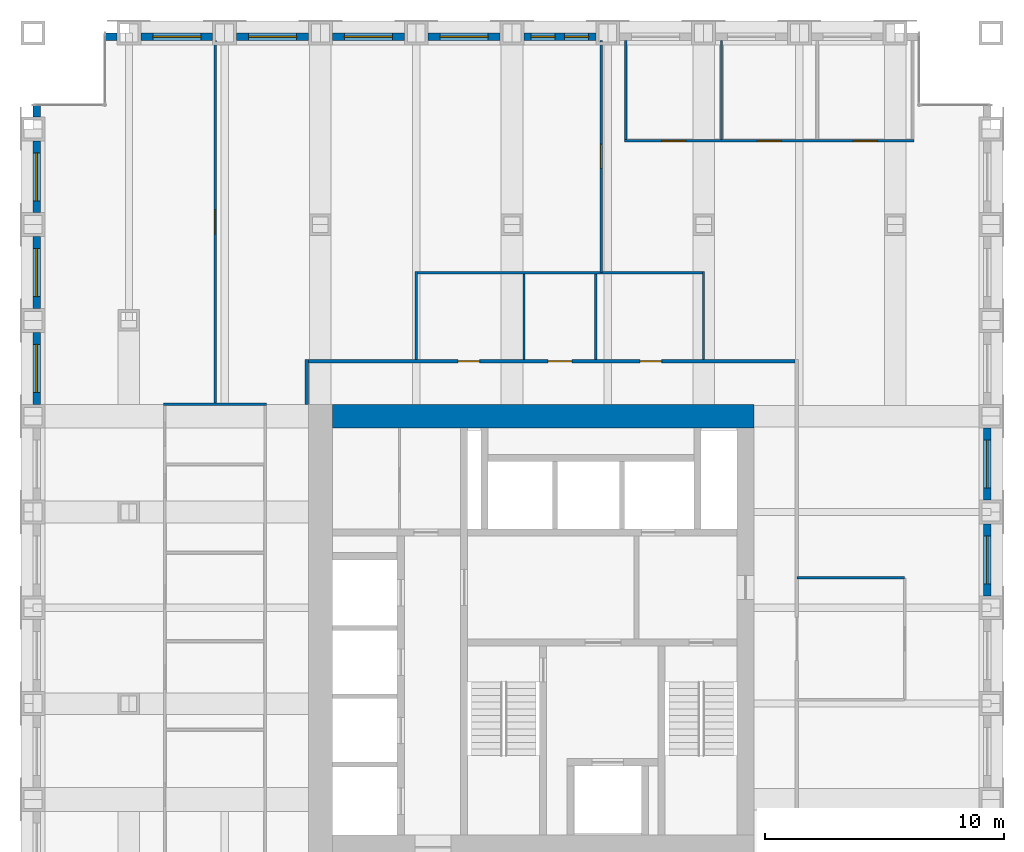
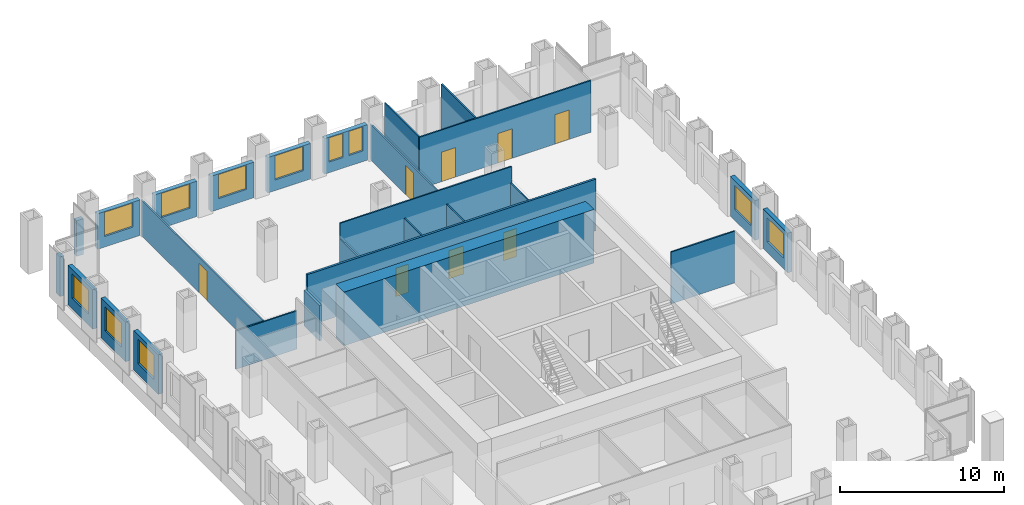
# One storey, part 10 of 12: 27 walls, 11 windows, 8 doors, 19 openings.
"""IFC4 building model written with IfcOpenShell, lengths in metres."""

from ifc_helpers import new_model, si_unit, direction, frame, frame_2d, origin, place, context, subcontext, project, spatial, rectangle, extrude, material, layer, layer_set, type_object, element, fill, save


model = new_model("IFC4")

# Units and contexts
model_context = context("Model", 3, precision=1e-05, world=origin(), true_north=direction((0.0, 1.0)))
body_context = subcontext(model_context, "Body", "Model", "MODEL_VIEW")
ifc_project = project(units=[si_unit("LENGTHUNIT", "METRE"), si_unit("AREAUNIT", "SQUARE_METRE"), si_unit("VOLUMEUNIT", "CUBIC_METRE"), si_unit("PLANEANGLEUNIT", "RADIAN"), si_unit("MASSUNIT", "GRAM", prefix="KILO")], contexts=[model_context])

# Site, building, storey
site_placement = place(None, origin())
site = spatial("IfcSite", under=ifc_project, at=site_placement, CompositionType="ELEMENT")
building_placement = place(site_placement, origin())
building = spatial("IfcBuilding", under=site, at=building_placement, Name="Rimbunsela Tower", CompositionType="ELEMENT")
storey_placement = place(building_placement, frame((0.0, 0.0, 167.800048828125)))
storey = spatial("IfcBuildingStorey", under=building, at=storey_placement, Name="L40", CompositionType="ELEMENT", Elevation=167.800048828125)

# Walls
ifc_material_1 = material(Name="Concrete fc' 80 MPa", Category="concrete")
ifc_layer_1 = layer(ifc_material_1, 1.0)
ifc_layer_set_1 = layer_set([ifc_layer_1], Name="Core wall 1000")
wall_type_1 = type_object("IfcWallType", Name="Core wall 1000", PredefinedType="SHEAR", material=ifc_layer_set_1)
wall_1_placement = place(storey_placement, frame((18.5, 36.0, -0.150146484375), z_axis=(0.0, 0.0, 1.0), x_axis=(1.0, 0.0, 0.0)))
element("IfcWall", 1, at=wall_1_placement, inside=storey, type_object=wall_type_1, Name="Core wall north", PredefinedType="SHEAR", context=body_context, shape_type="SweptSolid", body=[
    extrude(rectangle(XDim=17.60009765625, YDim=1.0, at=frame_2d((8.800048828125, 0.0))), origin(), (0.0, 0.0, 1.0), 4.0),
])
ifc_material_2 = material(Name="Gypsum board on steel studs", Category="steel")
ifc_layer_2 = layer(ifc_material_2, 0.10009765625)
ifc_layer_set_2 = layer_set([ifc_layer_2], Name="Office partition 100")
wall_type_2 = type_object("IfcWallType", Name="Office partition 100", PredefinedType="PARTITIONING", material=ifc_layer_set_2)
wall_2_placement = place(storey_placement, frame((11.449951171875, 36.5, 0.0), z_axis=(0.0, 0.0, 1.0), x_axis=(1.0, 0.0, 0.0)))
element("IfcWall", 2, at=wall_2_placement, inside=storey, type_object=wall_type_2, Name="Office partition", PredefinedType="PARTITIONING", context=body_context, shape_type="SweptSolid", body=[
    extrude(rectangle(XDim=4.300048828125, YDim=0.10009765625, at=frame_2d((2.14990234375, 0.0))), origin(), (0.0, 0.0, 1.0), 2.849853515625),
])

# Wall, openings, doors
wall_3_placement = place(storey_placement, frame((30.699951171875, 47.5, 0.0), z_axis=(0.0, 0.0, 1.0), x_axis=(1.0, 0.0, 0.0)))
wall_3 = element("IfcWall", 3, at=wall_3_placement, inside=storey, type_object=wall_type_2, Name="Office partition", PredefinedType="PARTITIONING", context=body_context, shape_type="SweptSolid", body=[
    extrude(rectangle(XDim=12.10009765625, YDim=0.10009765625, at=frame_2d((6.050048828125, 0.0))), origin(), (0.0, 0.0, 1.0), 3.849853515625),
])
opening_1_placement = place(wall_3_placement, frame((1.550048828125, 0.0, 0.0)))
opening_1 = element("IfcOpeningElement", 4, at=opening_1_placement, cuts=wall_3, Name="Opening D16", PredefinedType="OPENING", context=body_context, shape_type="SweptSolid", body=[
    extrude(rectangle(XDim=1.0, YDim=2.199951171875, at=frame_2d((0.5, 1.10009765625))), frame((0.0, 0.06005859375, 0.0), z_axis=(0.0, -1.0, 0.0), x_axis=(1.0, 0.0, 0.0)), (0.0, 0.0, 1.0), 0.1201171875),
])
opening_2_placement = place(wall_3_placement, frame((5.550048828125, 0.0, 0.0)))
opening_2 = element("IfcOpeningElement", 5, at=opening_2_placement, cuts=wall_3, Name="Opening D16", PredefinedType="OPENING", context=body_context, shape_type="SweptSolid", body=[
    extrude(rectangle(XDim=1.0, YDim=2.199951171875, at=frame_2d((0.5, 1.10009765625))), frame((0.0, 0.06005859375, 0.0), z_axis=(0.0, -1.0, 0.0), x_axis=(1.0, 0.0, 0.0)), (0.0, 0.0, 1.0), 0.1201171875),
])
opening_3_placement = place(wall_3_placement, frame((9.550048828125, 0.0, 0.0)))
opening_3 = element("IfcOpeningElement", 6, at=opening_3_placement, cuts=wall_3, Name="Opening D16", PredefinedType="OPENING", context=body_context, shape_type="SweptSolid", body=[
    extrude(rectangle(XDim=1.0, YDim=2.199951171875, at=frame_2d((0.5, 1.10009765625))), frame((0.0, 0.06005859375, 0.0), z_axis=(0.0, -1.0, 0.0), x_axis=(1.0, 0.0, 0.0)), (0.0, 0.0, 1.0), 0.1201171875),
])
ifc_material_3 = material(Name="Timber door", Category="wood")
door_type_1 = type_object("IfcDoorType", Name="Office door 1000", OperationType="SINGLE_SWING_LEFT", PredefinedType="DOOR", material=ifc_material_3)
door_1_placement = place(opening_1_placement, origin())
door_1 = element("IfcDoor", 7, at=door_1_placement, inside=storey, type_object=door_type_1, Name="Office door", OperationType="SINGLE_SWING_LEFT", OverallHeight=2.199951171875, OverallWidth=1.0, PredefinedType="DOOR", context=body_context, shape_type="SweptSolid", body=[
    extrude(rectangle(XDim=1.0, YDim=2.199951171875, at=frame_2d((0.5, 1.10009765625))), frame((0.0, 0.02490234375, 0.0), z_axis=(0.0, -1.0, 0.0), x_axis=(1.0, 0.0, 0.0)), (0.0, 0.0, 1.0), 0.050048828125),
])
fill(opening_1, door_1)
door_2_placement = place(opening_2_placement, origin())
door_2 = element("IfcDoor", 8, at=door_2_placement, inside=storey, type_object=door_type_1, Name="Office door", OperationType="SINGLE_SWING_LEFT", OverallHeight=2.199951171875, OverallWidth=1.0, PredefinedType="DOOR", context=body_context, shape_type="SweptSolid", body=[
    extrude(rectangle(XDim=1.0, YDim=2.199951171875, at=frame_2d((0.5, 1.10009765625))), frame((0.0, 0.02490234375, 0.0), z_axis=(0.0, -1.0, 0.0), x_axis=(1.0, 0.0, 0.0)), (0.0, 0.0, 1.0), 0.050048828125),
])
fill(opening_2, door_2)
door_3_placement = place(opening_3_placement, origin())
door_3 = element("IfcDoor", 9, at=door_3_placement, inside=storey, type_object=door_type_1, Name="Office door", OperationType="SINGLE_SWING_LEFT", OverallHeight=2.199951171875, OverallWidth=1.0, PredefinedType="DOOR", context=body_context, shape_type="SweptSolid", body=[
    extrude(rectangle(XDim=1.0, YDim=2.199951171875, at=frame_2d((0.5, 1.10009765625))), frame((0.0, 0.02490234375, 0.0), z_axis=(0.0, -1.0, 0.0), x_axis=(1.0, 0.0, 0.0)), (0.0, 0.0, 1.0), 0.050048828125),
])
fill(opening_3, door_3)

# Walls
for number, where, z_axis, x_axis, name in (
    (10, (30.75, 47.550048828125, 0.0), (0.0, 0.0, 1.0), (0.0, 1.0, 0.0), "Office partition"),
    (11, (34.75, 47.550048828125, 0.0), (0.0, 0.0, 1.0), (0.0, 1.0, 0.0), "Office partition"),
):
    element("IfcWall", number, at=place(storey_placement, frame(where, z_axis=z_axis, x_axis=x_axis)), inside=storey, type_object=wall_type_2, Name=name, PredefinedType="PARTITIONING", context=body_context, shape_type="SweptSolid", body=[
        extrude(rectangle(XDim=4.14990234375, YDim=0.10009765625, at=frame_2d((2.074951171875, 0.0))), origin(), (0.0, 0.0, 1.0), 3.849853515625),
    ])

# Wall, opening, door
wall_4_placement = place(storey_placement, frame((29.72509765625, 51.699951171875, 0.0), z_axis=(0.0, 0.0, 1.0), x_axis=(0.0, -1.0, 0.0)))
wall_4 = element("IfcWall", 12, at=wall_4_placement, inside=storey, type_object=wall_type_2, Name="Office partition", PredefinedType="PARTITIONING", context=body_context, shape_type="SweptSolid", body=[
    extrude(rectangle(XDim=9.699951171875, YDim=0.10009765625, at=frame_2d((4.85009765625, 0.0))), origin(), (0.0, 0.0, 1.0), 2.64990234375),
])
opening_4_placement = place(wall_4_placement, frame((4.35009765625, 0.0, 0.0)))
opening_4 = element("IfcOpeningElement", 13, at=opening_4_placement, cuts=wall_4, Name="Opening D17", PredefinedType="OPENING", context=body_context, shape_type="SweptSolid", body=[
    extrude(rectangle(XDim=1.0, YDim=2.199951171875, at=frame_2d((0.5, 1.10009765625))), frame((0.0, 0.06005859375, 0.0), z_axis=(0.0, -1.0, 0.0), x_axis=(1.0, 0.0, 0.0)), (0.0, 0.0, 1.0), 0.1201171875),
])
ifc_material_4 = material(Name="Glazed aluminium door", Category="aluminium")
door_type_2 = type_object("IfcDoorType", Name="Meeting room door 1000 glazed", OperationType="SINGLE_SWING_RIGHT", PredefinedType="DOOR", material=ifc_material_4)
door_4_placement = place(opening_4_placement, origin())
door_4 = element("IfcDoor", 14, at=door_4_placement, inside=storey, type_object=door_type_2, Name="Open office screen door", OperationType="SINGLE_SWING_RIGHT", OverallHeight=2.199951171875, OverallWidth=1.0, PredefinedType="DOOR", context=body_context, shape_type="SweptSolid", body=[
    extrude(rectangle(XDim=1.0, YDim=2.199951171875, at=frame_2d((0.5, 1.10009765625))), frame((0.0, 0.02490234375, 0.0), z_axis=(0.0, -1.0, 0.0), x_axis=(1.0, 0.0, 0.0)), (0.0, 0.0, 1.0), 0.050048828125),
])
fill(opening_4, door_4)

wall_5_placement = place(storey_placement, frame((13.60009765625, 36.550048828125, 0.0), z_axis=(0.0, 0.0, 1.0), x_axis=(0.0, 1.0, 0.0)))
wall_5 = element("IfcWall", 15, at=wall_5_placement, inside=storey, type_object=wall_type_2, Name="Office partition", PredefinedType="PARTITIONING", context=body_context, shape_type="SweptSolid", body=[
    extrude(rectangle(XDim=15.14990234375, YDim=0.10009765625, at=frame_2d((7.574951171875, 0.0))), origin(), (0.0, 0.0, 1.0), 2.64990234375),
])
opening_5_placement = place(wall_5_placement, frame((7.074951171875, 0.0, 0.0)))
opening_5 = element("IfcOpeningElement", 16, at=opening_5_placement, cuts=wall_5, Name="Opening D17", PredefinedType="OPENING", context=body_context, shape_type="SweptSolid", body=[
    extrude(rectangle(XDim=1.0, YDim=2.199951171875, at=frame_2d((0.5, 1.10009765625))), frame((0.0, 0.06005859375, 0.0), z_axis=(0.0, -1.0, 0.0), x_axis=(1.0, 0.0, 0.0)), (0.0, 0.0, 1.0), 0.1201171875),
])
door_5_placement = place(opening_5_placement, origin())
door_5 = element("IfcDoor", 17, at=door_5_placement, inside=storey, type_object=door_type_2, Name="Open office screen door", OperationType="SINGLE_SWING_RIGHT", OverallHeight=2.199951171875, OverallWidth=1.0, PredefinedType="DOOR", context=body_context, shape_type="SweptSolid", body=[
    extrude(rectangle(XDim=1.0, YDim=2.199951171875, at=frame_2d((0.5, 1.10009765625))), frame((0.0, 0.02490234375, 0.0), z_axis=(0.0, -1.0, 0.0), x_axis=(1.0, 0.0, 0.0)), (0.0, 0.0, 1.0), 0.050048828125),
])
fill(opening_5, door_5)

# Wall
wall_6_placement = place(storey_placement, frame((42.39990234375, 29.25, 0.0), z_axis=(0.0, 0.0, 1.0), x_axis=(-1.0, 0.0, 0.0)))
element("IfcWall", 18, at=wall_6_placement, inside=storey, type_object=wall_type_2, Name="Office partition", PredefinedType="PARTITIONING", context=body_context, shape_type="SweptSolid", body=[
    extrude(rectangle(XDim=4.5, YDim=0.10009765625, at=frame_2d((2.25, 0.0))), origin(), (0.0, 0.0, 1.0), 3.849853515625),
])

# Wall, opening, window
ifc_material_5 = material(Name="Precast concrete fc' 35 MPa", Category="concrete")
ifc_layer_3 = layer(ifc_material_5, 0.300048828125)
ifc_layer_set_3 = layer_set([ifc_layer_3], Name="Precast concrete fc' 35 MPa")
wall_type_3 = type_object("IfcWallType", Name="Precast facade panel 300", PredefinedType="ELEMENTEDWALL", material=ifc_layer_set_3)
wall_7_placement = place(storey_placement, frame((45.85009765625, 28.5, 0.0), z_axis=(0.0, 0.0, 1.0), x_axis=(0.0, 1.0, 0.0)))
wall_7 = element("IfcWall", 19, at=wall_7_placement, inside=storey, type_object=wall_type_3, Name="Facade panel E L40", PredefinedType="ELEMENTEDWALL", context=body_context, shape_type="SweptSolid", body=[
    extrude(rectangle(XDim=3.0, YDim=0.300048828125, at=frame_2d((1.5, 0.0))), origin(), (0.0, 0.0, 1.0), 2.949951171875),
])
opening_6_placement = place(wall_7_placement, frame((0.5, 0.0, 0.800048828125)))
opening_6 = element("IfcOpeningElement", 20, at=opening_6_placement, cuts=wall_7, Name="Opening W7", PredefinedType="OPENING", context=body_context, shape_type="SweptSolid", body=[
    extrude(rectangle(XDim=2.0, YDim=1.800048828125, at=frame_2d((1.0, 0.89990234375))), frame((0.0, 0.159912109375, 0.0), z_axis=(0.0, -1.0, 0.0), x_axis=(1.0, 0.0, 0.0)), (0.0, 0.0, 1.0), 0.320068359375),
])
ifc_material_6 = material(Name="Clear glass in aluminium frame", Category="aluminium")
window_type_1 = type_object("IfcWindowType", Name="Window W7 2000x1800", PartitioningType="DOUBLE_PANEL_VERTICAL", PredefinedType="WINDOW", material=ifc_material_6)
window_1_placement = place(opening_6_placement, origin())
window_1 = element("IfcWindow", 21, at=window_1_placement, inside=storey, type_object=window_type_1, Name="Window L40", OverallHeight=1.800048828125, OverallWidth=2.0, PartitioningType="SINGLE_PANEL", PredefinedType="WINDOW", context=body_context, shape_type="SweptSolid", body=[
    extrude(rectangle(XDim=2.0, YDim=1.800048828125, at=frame_2d((1.0, 0.89990234375))), frame((0.0, 0.030029296875, 0.0), z_axis=(0.0, -1.0, 0.0), x_axis=(1.0, 0.0, 0.0)), (0.0, 0.0, 1.0), 0.06005859375),
])
fill(opening_6, window_1)

wall_8_placement = place(storey_placement, frame((45.85009765625, 32.5, 0.0), z_axis=(0.0, 0.0, 1.0), x_axis=(0.0, 1.0, 0.0)))
wall_8 = element("IfcWall", 22, at=wall_8_placement, inside=storey, type_object=wall_type_3, Name="Facade panel E L40", PredefinedType="ELEMENTEDWALL", context=body_context, shape_type="SweptSolid", body=[
    extrude(rectangle(XDim=3.0, YDim=0.300048828125, at=frame_2d((1.5, 0.0))), origin(), (0.0, 0.0, 1.0), 2.949951171875),
])
opening_7_placement = place(wall_8_placement, frame((0.5, 0.0, 0.800048828125)))
opening_7 = element("IfcOpeningElement", 23, at=opening_7_placement, cuts=wall_8, Name="Opening W7", PredefinedType="OPENING", context=body_context, shape_type="SweptSolid", body=[
    extrude(rectangle(XDim=2.0, YDim=1.800048828125, at=frame_2d((1.0, 0.89990234375))), frame((0.0, 0.159912109375, 0.0), z_axis=(0.0, -1.0, 0.0), x_axis=(1.0, 0.0, 0.0)), (0.0, 0.0, 1.0), 0.320068359375),
])
window_2_placement = place(opening_7_placement, origin())
window_2 = element("IfcWindow", 24, at=window_2_placement, inside=storey, type_object=window_type_1, Name="Window L40", OverallHeight=1.800048828125, OverallWidth=2.0, PartitioningType="SINGLE_PANEL", PredefinedType="WINDOW", context=body_context, shape_type="SweptSolid", body=[
    extrude(rectangle(XDim=2.0, YDim=1.800048828125, at=frame_2d((1.0, 0.89990234375))), frame((0.0, 0.030029296875, 0.0), z_axis=(0.0, -1.0, 0.0), x_axis=(1.0, 0.0, 0.0)), (0.0, 0.0, 1.0), 0.06005859375),
])
fill(opening_7, window_2)

# Wall
wall_9_placement = place(storey_placement, frame((9.5, 51.85009765625, 0.0), z_axis=(0.0, 0.0, 1.0), x_axis=(-1.0, 0.0, 0.0)))
element("IfcWall", 25, at=wall_9_placement, inside=storey, type_object=wall_type_3, Name="Facade panel N L40", PredefinedType="ELEMENTEDWALL", context=body_context, shape_type="SweptSolid", body=[
    extrude(rectangle(XDim=0.469970703125, YDim=0.300048828125, at=frame_2d((0.23486328125, 0.0))), origin(), (0.0, 0.0, 1.0), 2.64990234375),
])

# Wall, opening, window
wall_10_placement = place(storey_placement, frame((13.5, 51.85009765625, 0.0), z_axis=(0.0, 0.0, 1.0), x_axis=(-1.0, 0.0, 0.0)))
wall_10 = element("IfcWall", 26, at=wall_10_placement, inside=storey, type_object=wall_type_3, Name="Facade panel N L40", PredefinedType="ELEMENTEDWALL", context=body_context, shape_type="SweptSolid", body=[
    extrude(rectangle(XDim=3.0, YDim=0.300048828125, at=frame_2d((1.5, 0.0))), origin(), (0.0, 0.0, 1.0), 2.64990234375),
])
opening_8_placement = place(wall_10_placement, frame((0.5, 0.0, 0.800048828125)))
opening_8 = element("IfcOpeningElement", 27, at=opening_8_placement, cuts=wall_10, Name="Opening W7", PredefinedType="OPENING", context=body_context, shape_type="SweptSolid", body=[
    extrude(rectangle(XDim=2.0, YDim=1.800048828125, at=frame_2d((1.0, 0.89990234375))), frame((0.0, 0.159912109375, 0.0), z_axis=(0.0, -1.0, 0.0), x_axis=(1.0, 0.0, 0.0)), (0.0, 0.0, 1.0), 0.320068359375),
])
window_3_placement = place(opening_8_placement, origin())
window_3 = element("IfcWindow", 28, at=window_3_placement, inside=storey, type_object=window_type_1, Name="Window L40", OverallHeight=1.800048828125, OverallWidth=2.0, PartitioningType="SINGLE_PANEL", PredefinedType="WINDOW", context=body_context, shape_type="SweptSolid", body=[
    extrude(rectangle(XDim=2.0, YDim=1.800048828125, at=frame_2d((1.0, 0.89990234375))), frame((0.0, 0.030029296875, 0.0), z_axis=(0.0, -1.0, 0.0), x_axis=(1.0, 0.0, 0.0)), (0.0, 0.0, 1.0), 0.06005859375),
])
fill(opening_8, window_3)

wall_11_placement = place(storey_placement, frame((17.5, 51.85009765625, 0.0), z_axis=(0.0, 0.0, 1.0), x_axis=(-1.0, 0.0, 0.0)))
wall_11 = element("IfcWall", 29, at=wall_11_placement, inside=storey, type_object=wall_type_3, Name="Facade panel N L40", PredefinedType="ELEMENTEDWALL", context=body_context, shape_type="SweptSolid", body=[
    extrude(rectangle(XDim=3.0, YDim=0.300048828125, at=frame_2d((1.5, 0.0))), origin(), (0.0, 0.0, 1.0), 2.64990234375),
])
opening_9_placement = place(wall_11_placement, frame((0.5, 0.0, 0.800048828125)))
opening_9 = element("IfcOpeningElement", 30, at=opening_9_placement, cuts=wall_11, Name="Opening W7", PredefinedType="OPENING", context=body_context, shape_type="SweptSolid", body=[
    extrude(rectangle(XDim=2.0, YDim=1.800048828125, at=frame_2d((1.0, 0.89990234375))), frame((0.0, 0.159912109375, 0.0), z_axis=(0.0, -1.0, 0.0), x_axis=(1.0, 0.0, 0.0)), (0.0, 0.0, 1.0), 0.320068359375),
])
window_4_placement = place(opening_9_placement, origin())
window_4 = element("IfcWindow", 31, at=window_4_placement, inside=storey, type_object=window_type_1, Name="Window L40", OverallHeight=1.800048828125, OverallWidth=2.0, PartitioningType="SINGLE_PANEL", PredefinedType="WINDOW", context=body_context, shape_type="SweptSolid", body=[
    extrude(rectangle(XDim=2.0, YDim=1.800048828125, at=frame_2d((1.0, 0.89990234375))), frame((0.0, 0.030029296875, 0.0), z_axis=(0.0, -1.0, 0.0), x_axis=(1.0, 0.0, 0.0)), (0.0, 0.0, 1.0), 0.06005859375),
])
fill(opening_9, window_4)

wall_12_placement = place(storey_placement, frame((21.5, 51.85009765625, 0.0), z_axis=(0.0, 0.0, 1.0), x_axis=(-1.0, 0.0, 0.0)))
wall_12 = element("IfcWall", 32, at=wall_12_placement, inside=storey, type_object=wall_type_3, Name="Facade panel N L40", PredefinedType="ELEMENTEDWALL", context=body_context, shape_type="SweptSolid", body=[
    extrude(rectangle(XDim=3.0, YDim=0.300048828125, at=frame_2d((1.5, 0.0))), origin(), (0.0, 0.0, 1.0), 2.64990234375),
])
opening_10_placement = place(wall_12_placement, frame((0.5, 0.0, 0.800048828125)))
opening_10 = element("IfcOpeningElement", 33, at=opening_10_placement, cuts=wall_12, Name="Opening W7", PredefinedType="OPENING", context=body_context, shape_type="SweptSolid", body=[
    extrude(rectangle(XDim=2.0, YDim=1.800048828125, at=frame_2d((1.0, 0.89990234375))), frame((0.0, 0.159912109375, 0.0), z_axis=(0.0, -1.0, 0.0), x_axis=(1.0, 0.0, 0.0)), (0.0, 0.0, 1.0), 0.320068359375),
])
window_5_placement = place(opening_10_placement, origin())
window_5 = element("IfcWindow", 34, at=window_5_placement, inside=storey, type_object=window_type_1, Name="Window L40", OverallHeight=1.800048828125, OverallWidth=2.0, PartitioningType="SINGLE_PANEL", PredefinedType="WINDOW", context=body_context, shape_type="SweptSolid", body=[
    extrude(rectangle(XDim=2.0, YDim=1.800048828125, at=frame_2d((1.0, 0.89990234375))), frame((0.0, 0.030029296875, 0.0), z_axis=(0.0, -1.0, 0.0), x_axis=(1.0, 0.0, 0.0)), (0.0, 0.0, 1.0), 0.06005859375),
])
fill(opening_10, window_5)

wall_13_placement = place(storey_placement, frame((25.5, 51.85009765625, 0.0), z_axis=(0.0, 0.0, 1.0), x_axis=(-1.0, 0.0, 0.0)))
wall_13 = element("IfcWall", 35, at=wall_13_placement, inside=storey, type_object=wall_type_3, Name="Facade panel N L40", PredefinedType="ELEMENTEDWALL", context=body_context, shape_type="SweptSolid", body=[
    extrude(rectangle(XDim=3.0, YDim=0.300048828125, at=frame_2d((1.5, 0.0))), origin(), (0.0, 0.0, 1.0), 2.64990234375),
])
opening_11_placement = place(wall_13_placement, frame((0.5, 0.0, 0.800048828125)))
opening_11 = element("IfcOpeningElement", 36, at=opening_11_placement, cuts=wall_13, Name="Opening W7", PredefinedType="OPENING", context=body_context, shape_type="SweptSolid", body=[
    extrude(rectangle(XDim=2.0, YDim=1.800048828125, at=frame_2d((1.0, 0.89990234375))), frame((0.0, 0.159912109375, 0.0), z_axis=(0.0, -1.0, 0.0), x_axis=(1.0, 0.0, 0.0)), (0.0, 0.0, 1.0), 0.320068359375),
])
window_6_placement = place(opening_11_placement, origin())
window_6 = element("IfcWindow", 37, at=window_6_placement, inside=storey, type_object=window_type_1, Name="Window L40", OverallHeight=1.800048828125, OverallWidth=2.0, PartitioningType="SINGLE_PANEL", PredefinedType="WINDOW", context=body_context, shape_type="SweptSolid", body=[
    extrude(rectangle(XDim=2.0, YDim=1.800048828125, at=frame_2d((1.0, 0.89990234375))), frame((0.0, 0.030029296875, 0.0), z_axis=(0.0, -1.0, 0.0), x_axis=(1.0, 0.0, 0.0)), (0.0, 0.0, 1.0), 0.06005859375),
])
fill(opening_11, window_6)

# Wall, openings, windows
wall_14_placement = place(storey_placement, frame((29.5, 51.85009765625, 0.0), z_axis=(0.0, 0.0, 1.0), x_axis=(-1.0, 0.0, 0.0)))
wall_14 = element("IfcWall", 38, at=wall_14_placement, inside=storey, type_object=wall_type_3, Name="Facade panel N L40", PredefinedType="ELEMENTEDWALL", context=body_context, shape_type="SweptSolid", body=[
    extrude(rectangle(XDim=3.0, YDim=0.300048828125, at=frame_2d((1.5, 0.0))), origin(), (0.0, 0.0, 1.0), 2.64990234375),
])
opening_12_placement = place(wall_14_placement, frame((1.699951171875, 0.0, 0.800048828125)))
opening_12 = element("IfcOpeningElement", 39, at=opening_12_placement, cuts=wall_14, Name="Opening W8", PredefinedType="OPENING", context=body_context, shape_type="SweptSolid", body=[
    extrude(rectangle(XDim=1.0, YDim=1.800048828125, at=frame_2d((0.5, 0.89990234375))), frame((0.0, 0.159912109375, 0.0), z_axis=(0.0, -1.0, 0.0), x_axis=(1.0, 0.0, 0.0)), (0.0, 0.0, 1.0), 0.320068359375),
])
opening_13_placement = place(wall_14_placement, frame((0.300048828125, 0.0, 0.800048828125)))
opening_13 = element("IfcOpeningElement", 40, at=opening_13_placement, cuts=wall_14, Name="Opening W8", PredefinedType="OPENING", context=body_context, shape_type="SweptSolid", body=[
    extrude(rectangle(XDim=1.0, YDim=1.800048828125, at=frame_2d((0.5, 0.89990234375))), frame((0.0, 0.159912109375, 0.0), z_axis=(0.0, -1.0, 0.0), x_axis=(1.0, 0.0, 0.0)), (0.0, 0.0, 1.0), 0.320068359375),
])
ifc_material_7 = material(Name="Clear glass in aluminium frame", Category="aluminium")
window_type_2 = type_object("IfcWindowType", Name="Window W8 1000x1800", PartitioningType="SINGLE_PANEL", PredefinedType="WINDOW", material=ifc_material_7)
window_7_placement = place(opening_12_placement, origin())
window_7 = element("IfcWindow", 41, at=window_7_placement, inside=storey, type_object=window_type_2, Name="Window L40", OverallHeight=1.800048828125, OverallWidth=1.0, PartitioningType="SINGLE_PANEL", PredefinedType="WINDOW", context=body_context, shape_type="SweptSolid", body=[
    extrude(rectangle(XDim=1.0, YDim=1.800048828125, at=frame_2d((0.5, 0.89990234375))), frame((0.0, 0.030029296875, 0.0), z_axis=(0.0, -1.0, 0.0), x_axis=(1.0, 0.0, 0.0)), (0.0, 0.0, 1.0), 0.06005859375),
])
fill(opening_12, window_7)
window_8_placement = place(opening_13_placement, origin())
window_8 = element("IfcWindow", 42, at=window_8_placement, inside=storey, type_object=window_type_2, Name="Window L40", OverallHeight=1.800048828125, OverallWidth=1.0, PartitioningType="SINGLE_PANEL", PredefinedType="WINDOW", context=body_context, shape_type="SweptSolid", body=[
    extrude(rectangle(XDim=1.0, YDim=1.800048828125, at=frame_2d((0.5, 0.89990234375))), frame((0.0, 0.030029296875, 0.0), z_axis=(0.0, -1.0, 0.0), x_axis=(1.0, 0.0, 0.0)), (0.0, 0.0, 1.0), 0.06005859375),
])
fill(opening_13, window_8)

# Wall, opening, window
wall_15_placement = place(storey_placement, frame((6.14990234375, 39.5, 0.0), z_axis=(0.0, 0.0, 1.0), x_axis=(0.0, -1.0, 0.0)))
wall_15 = element("IfcWall", 43, at=wall_15_placement, inside=storey, type_object=wall_type_3, Name="Facade panel W L40", PredefinedType="ELEMENTEDWALL", context=body_context, shape_type="SweptSolid", body=[
    extrude(rectangle(XDim=3.0, YDim=0.300048828125, at=frame_2d((1.5, 0.0))), origin(), (0.0, 0.0, 1.0), 2.949951171875),
])
opening_14_placement = place(wall_15_placement, frame((0.5, 0.0, 0.800048828125)))
opening_14 = element("IfcOpeningElement", 44, at=opening_14_placement, cuts=wall_15, Name="Opening W7", PredefinedType="OPENING", context=body_context, shape_type="SweptSolid", body=[
    extrude(rectangle(XDim=2.0, YDim=1.800048828125, at=frame_2d((1.0, 0.89990234375))), frame((0.0, 0.159912109375, 0.0), z_axis=(0.0, -1.0, 0.0), x_axis=(1.0, 0.0, 0.0)), (0.0, 0.0, 1.0), 0.320068359375),
])
window_9_placement = place(opening_14_placement, origin())
window_9 = element("IfcWindow", 45, at=window_9_placement, inside=storey, type_object=window_type_1, Name="Window L40", OverallHeight=1.800048828125, OverallWidth=2.0, PartitioningType="SINGLE_PANEL", PredefinedType="WINDOW", context=body_context, shape_type="SweptSolid", body=[
    extrude(rectangle(XDim=2.0, YDim=1.800048828125, at=frame_2d((1.0, 0.89990234375))), frame((0.0, 0.030029296875, 0.0), z_axis=(0.0, -1.0, 0.0), x_axis=(1.0, 0.0, 0.0)), (0.0, 0.0, 1.0), 0.06005859375),
])
fill(opening_14, window_9)

wall_16_placement = place(storey_placement, frame((6.14990234375, 43.5, 0.0), z_axis=(0.0, 0.0, 1.0), x_axis=(0.0, -1.0, 0.0)))
wall_16 = element("IfcWall", 46, at=wall_16_placement, inside=storey, type_object=wall_type_3, Name="Facade panel W L40", PredefinedType="ELEMENTEDWALL", context=body_context, shape_type="SweptSolid", body=[
    extrude(rectangle(XDim=3.0, YDim=0.300048828125, at=frame_2d((1.5, 0.0))), origin(), (0.0, 0.0, 1.0), 2.949951171875),
])
opening_15_placement = place(wall_16_placement, frame((0.5, 0.0, 0.800048828125)))
opening_15 = element("IfcOpeningElement", 47, at=opening_15_placement, cuts=wall_16, Name="Opening W7", PredefinedType="OPENING", context=body_context, shape_type="SweptSolid", body=[
    extrude(rectangle(XDim=2.0, YDim=1.800048828125, at=frame_2d((1.0, 0.89990234375))), frame((0.0, 0.159912109375, 0.0), z_axis=(0.0, -1.0, 0.0), x_axis=(1.0, 0.0, 0.0)), (0.0, 0.0, 1.0), 0.320068359375),
])
window_10_placement = place(opening_15_placement, origin())
window_10 = element("IfcWindow", 48, at=window_10_placement, inside=storey, type_object=window_type_1, Name="Window L40", OverallHeight=1.800048828125, OverallWidth=2.0, PartitioningType="SINGLE_PANEL", PredefinedType="WINDOW", context=body_context, shape_type="SweptSolid", body=[
    extrude(rectangle(XDim=2.0, YDim=1.800048828125, at=frame_2d((1.0, 0.89990234375))), frame((0.0, 0.030029296875, 0.0), z_axis=(0.0, -1.0, 0.0), x_axis=(1.0, 0.0, 0.0)), (0.0, 0.0, 1.0), 0.06005859375),
])
fill(opening_15, window_10)

wall_17_placement = place(storey_placement, frame((6.14990234375, 47.5, 0.0), z_axis=(0.0, 0.0, 1.0), x_axis=(0.0, -1.0, 0.0)))
wall_17 = element("IfcWall", 49, at=wall_17_placement, inside=storey, type_object=wall_type_3, Name="Facade panel W L40", PredefinedType="ELEMENTEDWALL", context=body_context, shape_type="SweptSolid", body=[
    extrude(rectangle(XDim=3.0, YDim=0.300048828125, at=frame_2d((1.5, 0.0))), origin(), (0.0, 0.0, 1.0), 2.949951171875),
])
opening_16_placement = place(wall_17_placement, frame((0.5, 0.0, 0.800048828125)))
opening_16 = element("IfcOpeningElement", 50, at=opening_16_placement, cuts=wall_17, Name="Opening W7", PredefinedType="OPENING", context=body_context, shape_type="SweptSolid", body=[
    extrude(rectangle(XDim=2.0, YDim=1.800048828125, at=frame_2d((1.0, 0.89990234375))), frame((0.0, 0.159912109375, 0.0), z_axis=(0.0, -1.0, 0.0), x_axis=(1.0, 0.0, 0.0)), (0.0, 0.0, 1.0), 0.320068359375),
])
window_11_placement = place(opening_16_placement, origin())
window_11 = element("IfcWindow", 51, at=window_11_placement, inside=storey, type_object=window_type_1, Name="Window L40", OverallHeight=1.800048828125, OverallWidth=2.0, PartitioningType="SINGLE_PANEL", PredefinedType="WINDOW", context=body_context, shape_type="SweptSolid", body=[
    extrude(rectangle(XDim=2.0, YDim=1.800048828125, at=frame_2d((1.0, 0.89990234375))), frame((0.0, 0.030029296875, 0.0), z_axis=(0.0, -1.0, 0.0), x_axis=(1.0, 0.0, 0.0)), (0.0, 0.0, 1.0), 0.06005859375),
])
fill(opening_16, window_11)

# Walls
wall_18_placement = place(storey_placement, frame((6.14990234375, 48.969970703125, 0.0), z_axis=(0.0, 0.0, 1.0), x_axis=(0.0, -1.0, 0.0)))
element("IfcWall", 52, at=wall_18_placement, inside=storey, type_object=wall_type_3, Name="Facade panel W L40", PredefinedType="ELEMENTEDWALL", context=body_context, shape_type="SweptSolid", body=[
    extrude(rectangle(XDim=0.469970703125, YDim=0.300048828125, at=frame_2d((0.23486328125, 0.0))), origin(), (0.0, 0.0, 1.0), 2.949951171875),
])
ifc_material_8 = material(Name="Fire-rated gypsum board on steel studs, EI 60", Category="steel")
ifc_layer_4 = layer(ifc_material_8, 0.14990234375)
ifc_layer_set_4 = layer_set([ifc_layer_4], Name="Rated corridor wall 150")
wall_type_4 = type_object("IfcWallType", Name="Rated corridor wall 150", PredefinedType="PARTITIONING", material=ifc_layer_set_4)
wall_19_placement = place(storey_placement, frame((17.425048828125, 36.5, 0.0), z_axis=(0.0, 0.0, 1.0), x_axis=(0.0, 1.0, 0.0)))
element("IfcWall", 53, at=wall_19_placement, inside=storey, type_object=wall_type_4, Name="Corridor end wall north", PredefinedType="PARTITIONING", context=body_context, shape_type="SweptSolid", body=[
    extrude(rectangle(XDim=1.875, YDim=0.14990234375, at=frame_2d((0.9375, 0.0))), origin(), (0.0, 0.0, 1.0), 2.64990234375),
])

# Wall, openings, doors
wall_20_placement = place(storey_placement, frame((17.5, 38.300048828125, 0.0), z_axis=(0.0, 0.0, 1.0), x_axis=(1.0, 0.0, 0.0)))
wall_20 = element("IfcWall", 54, at=wall_20_placement, inside=storey, type_object=wall_type_4, Name="Corridor wall north", PredefinedType="PARTITIONING", context=body_context, shape_type="SweptSolid", body=[
    extrude(rectangle(XDim=20.324951171875, YDim=0.14990234375, at=frame_2d((10.16259765625, 0.0))), origin(), (0.0, 0.0, 1.0), 3.849853515625),
])
opening_17_placement = place(wall_20_placement, frame((6.25, 0.0, 0.0)))
opening_17 = element("IfcOpeningElement", 55, at=opening_17_placement, cuts=wall_20, Name="Opening D04", PredefinedType="OPENING", context=body_context, shape_type="SweptSolid", body=[
    extrude(rectangle(XDim=0.89990234375, YDim=2.10009765625, at=frame_2d((0.449951171875, 1.050048828125))), frame((0.0, 0.0849609375, 0.0), z_axis=(0.0, -1.0, 0.0), x_axis=(1.0, 0.0, 0.0)), (0.0, 0.0, 1.0), 0.169921875),
])
opening_18_placement = place(wall_20_placement, frame((10.0, 0.0, 0.0)))
opening_18 = element("IfcOpeningElement", 56, at=opening_18_placement, cuts=wall_20, Name="Opening D05", PredefinedType="OPENING", context=body_context, shape_type="SweptSolid", body=[
    extrude(rectangle(XDim=1.0, YDim=2.10009765625, at=frame_2d((0.5, 1.050048828125))), frame((0.0, 0.0849609375, 0.0), z_axis=(0.0, -1.0, 0.0), x_axis=(1.0, 0.0, 0.0)), (0.0, 0.0, 1.0), 0.169921875),
])
opening_19_placement = place(wall_20_placement, frame((13.85009765625, 0.0, 0.0)))
opening_19 = element("IfcOpeningElement", 57, at=opening_19_placement, cuts=wall_20, Name="Opening D04", PredefinedType="OPENING", context=body_context, shape_type="SweptSolid", body=[
    extrude(rectangle(XDim=0.89990234375, YDim=2.10009765625, at=frame_2d((0.449951171875, 1.050048828125))), frame((0.0, 0.0849609375, 0.0), z_axis=(0.0, -1.0, 0.0), x_axis=(1.0, 0.0, 0.0)), (0.0, 0.0, 1.0), 0.169921875),
])
ifc_material_9 = material(Name="Timber door", Category="wood")
door_type_3 = type_object("IfcDoorType", Name="Accessible WC door 1000", OperationType="SLIDING_TO_LEFT", PredefinedType="DOOR", material=ifc_material_9)
door_6_placement = place(opening_18_placement, origin())
door_6 = element("IfcDoor", 58, at=door_6_placement, inside=storey, type_object=door_type_3, Name="Accessible WC door", OperationType="SLIDING_TO_LEFT", OverallHeight=2.10009765625, OverallWidth=1.0, PredefinedType="DOOR", context=body_context, shape_type="SweptSolid", body=[
    extrude(rectangle(XDim=1.0, YDim=2.10009765625, at=frame_2d((0.5, 1.050048828125))), frame((0.0, 0.02490234375, 0.0), z_axis=(0.0, -1.0, 0.0), x_axis=(1.0, 0.0, 0.0)), (0.0, 0.0, 1.0), 0.050048828125),
])
fill(opening_18, door_6)
ifc_material_10 = material(Name="Timber door", Category="wood")
door_type_4 = type_object("IfcDoorType", Name="Toilet door 900", OperationType="SINGLE_SWING_LEFT", PredefinedType="DOOR", material=ifc_material_10)
door_7_placement = place(opening_17_placement, origin())
door_7 = element("IfcDoor", 59, at=door_7_placement, inside=storey, type_object=door_type_4, Name="Female WC door", OperationType="SINGLE_SWING_LEFT", OverallHeight=2.10009765625, OverallWidth=0.89990234375, PredefinedType="DOOR", context=body_context, shape_type="SweptSolid", body=[
    extrude(rectangle(XDim=0.89990234375, YDim=2.10009765625, at=frame_2d((0.449951171875, 1.050048828125))), frame((0.0, 0.02490234375, 0.0), z_axis=(0.0, -1.0, 0.0), x_axis=(1.0, 0.0, 0.0)), (0.0, 0.0, 1.0), 0.050048828125),
])
fill(opening_17, door_7)
door_8_placement = place(opening_19_placement, origin())
door_8 = element("IfcDoor", 60, at=door_8_placement, inside=storey, type_object=door_type_4, Name="Male WC door", OperationType="SINGLE_SWING_LEFT", OverallHeight=2.10009765625, OverallWidth=0.89990234375, PredefinedType="DOOR", context=body_context, shape_type="SweptSolid", body=[
    extrude(rectangle(XDim=0.89990234375, YDim=2.10009765625, at=frame_2d((0.449951171875, 1.050048828125))), frame((0.0, 0.02490234375, 0.0), z_axis=(0.0, -1.0, 0.0), x_axis=(1.0, 0.0, 0.0)), (0.0, 0.0, 1.0), 0.050048828125),
])
fill(opening_19, door_8)

# Walls
ifc_material_11 = material(Name="Concrete blockwork", Category="masonry")
ifc_layer_5 = layer(ifc_material_11, 0.10009765625)
ifc_layer_set_5 = layer_set([ifc_layer_5], Name="Toilet partition 100")
wall_type_5 = type_object("IfcWallType", Name="Toilet partition 100", PredefinedType="PARTITIONING", material=ifc_layer_set_5)
for number, where, z_axis, x_axis, name in (
    (61, (22.0, 38.375, 0.0), (0.0, 0.0, 1.0), (0.0, 1.0, 0.0), "Toilet block wall west"),
    (62, (34.0, 38.375, 0.0), (0.0, 0.0, 1.0), (0.0, 1.0, 0.0), "Toilet block wall east"),
):
    element("IfcWall", number, at=place(storey_placement, frame(where, z_axis=z_axis, x_axis=x_axis)), inside=storey, type_object=wall_type_5, Name=name, PredefinedType="PARTITIONING", context=body_context, shape_type="SweptSolid", body=[
        extrude(rectangle(XDim=3.675048828125, YDim=0.10009765625, at=frame_2d((1.83740234375, 0.0))), origin(), (0.0, 0.0, 1.0), 2.64990234375),
    ])
wall_21_placement = place(storey_placement, frame((21.949951171875, 42.0, 0.0), z_axis=(0.0, 0.0, 1.0), x_axis=(1.0, 0.0, 0.0)))
element("IfcWall", 63, at=wall_21_placement, inside=storey, type_object=wall_type_5, Name="Toilet block wall north", PredefinedType="PARTITIONING", context=body_context, shape_type="SweptSolid", body=[
    extrude(rectangle(XDim=12.10009765625, YDim=0.10009765625, at=frame_2d((6.050048828125, 0.0))), origin(), (0.0, 0.0, 1.0), 3.849853515625),
])
for number, where, z_axis, x_axis, name in (
    (64, (26.5, 38.375, 0.0), (0.0, 0.0, 1.0), (0.0, 1.0, 0.0), "Toilet partition"),
    (65, (29.5, 38.375, 0.0), (0.0, 0.0, 1.0), (0.0, 1.0, 0.0), "Toilet partition"),
):
    element("IfcWall", number, at=place(storey_placement, frame(where, z_axis=z_axis, x_axis=x_axis)), inside=storey, type_object=wall_type_5, Name=name, PredefinedType="PARTITIONING", context=body_context, shape_type="SweptSolid", body=[
        extrude(rectangle(XDim=3.574951171875, YDim=0.10009765625, at=frame_2d((1.78759765625, 0.0))), origin(), (0.0, 0.0, 1.0), 2.64990234375),
    ])

save(model, "model.ifc")
